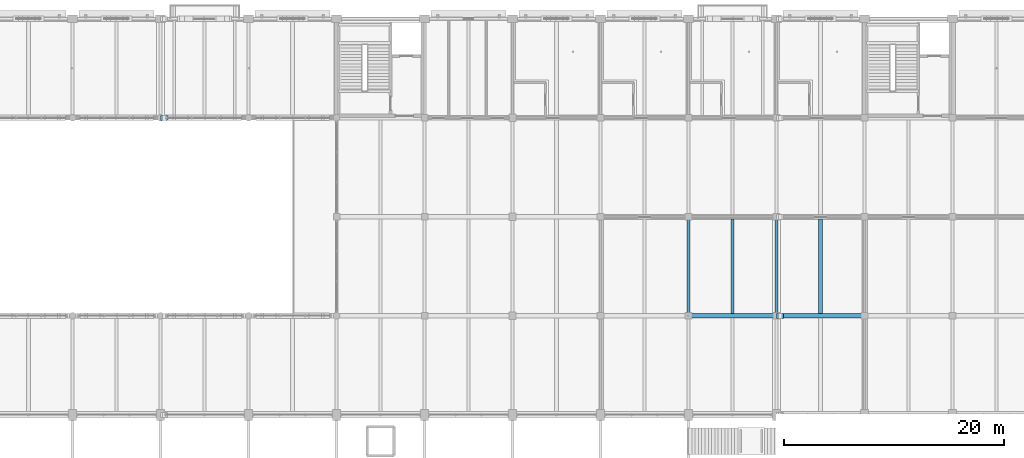
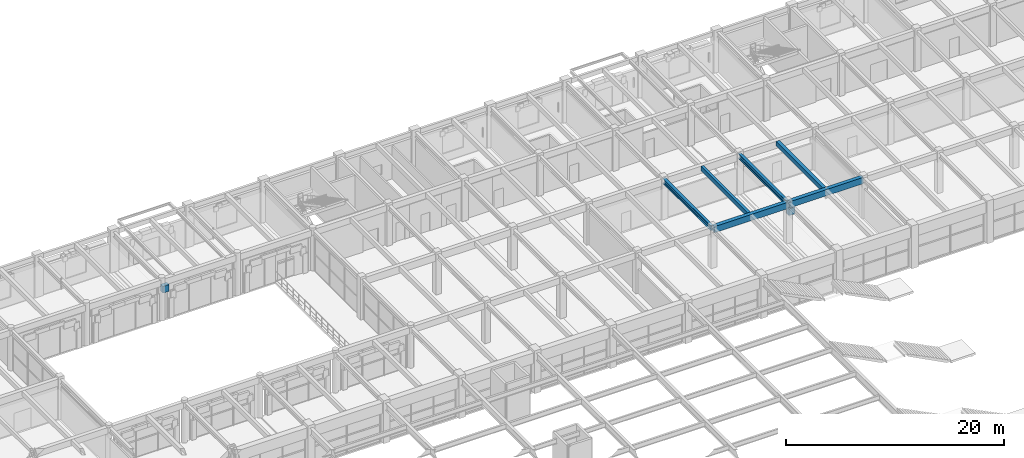
# One storey, part 66 of 144: 8 beams.
"""IFC4 building model written with IfcOpenShell, lengths in metres."""

from ifc_helpers import new_model, si_unit, direction, frame, origin, origin_2d, place, context, subcontext, project, spatial, rectangle, i_section, extrude, material, material_profile, profile_set, type_object, element, save


model = new_model("IFC4")

# Units and contexts
model_context = context("Model", 3, precision=1e-05, world=origin(), true_north=direction((0.0, 1.0)))
body_context = subcontext(model_context, "Body", "Model", "MODEL_VIEW")
ifc_project = project(units=[si_unit("LENGTHUNIT", "METRE"), si_unit("AREAUNIT", "SQUARE_METRE"), si_unit("VOLUMEUNIT", "CUBIC_METRE"), si_unit("PLANEANGLEUNIT", "RADIAN"), si_unit("MASSUNIT", "GRAM", prefix="KILO")], contexts=[model_context])

# Site, building, storey
site_placement = place(None, origin())
site = spatial("IfcSite", under=ifc_project, at=site_placement, CompositionType="ELEMENT")
building_placement = place(site_placement, origin())
building = spatial("IfcBuilding", under=site, at=building_placement, Name="Varnabhumi Central Station", CompositionType="ELEMENT")
storey_placement = place(building_placement, frame((0.0, 0.0, 4.800048828125)))
storey = spatial("IfcBuildingStorey", under=building, at=storey_placement, Name="L01", CompositionType="ELEMENT", Elevation=4.800048828125)

# Beams
ifc_material_1 = material(Name="Concrete M40", Category="concrete")
ifc_material_profile_1 = material_profile(ifc_material_1, rectangle(XDim=0.300048828125, YDim=0.5, at=origin_2d()), Name="Concrete M40", Category="concrete")
ifc_profile_set_1 = profile_set([ifc_material_profile_1], Name="Concrete M40")
beam_type_1 = type_object("IfcBeamType", Name="BM-RC-300x500", PredefinedType="JOIST", material=ifc_profile_set_1)
beam_1_placement = place(storey_placement, frame((116.0, 89.199951171875, 4.300048828125), z_axis=(0.0, 1.0, 0.0), x_axis=(-1.0, 0.0, 0.0)))
element("IfcBeam", 1, at=beam_1_placement, inside=storey, type_object=beam_type_1, Name="Secondary Joist L01-15/16:L-M", PredefinedType="JOIST", context=body_context, shape_type="SweptSolid", body=[
    extrude(rectangle(XDim=0.300048828125, YDim=0.5, at=origin_2d()), origin(), (0.0, 0.0, 1.0), 8.60009765625),
])
ifc_material_profile_2 = material_profile(ifc_material_1, rectangle(XDim=0.35009765625, YDim=0.5, at=origin_2d()), Name="Concrete M40", Category="concrete")
ifc_profile_set_2 = profile_set([ifc_material_profile_2], Name="Concrete M40")
beam_type_2 = type_object("IfcBeamType", Name="BM-RC-350x500", PredefinedType="JOIST", material=ifc_profile_set_2)
beam_2_placement = place(storey_placement, frame((124.0, 89.199951171875, 4.300048828125), z_axis=(0.0, 1.0, 0.0), x_axis=(-1.0, 0.0, 0.0)))
element("IfcBeam", 2, at=beam_2_placement, inside=storey, type_object=beam_type_2, Name="Secondary Joist L01-16/17:L-M", PredefinedType="JOIST", context=body_context, shape_type="SweptSolid", body=[
    extrude(rectangle(XDim=0.35009765625, YDim=0.5, at=origin_2d()), origin(), (0.0, 0.0, 1.0), 8.60009765625),
])
ifc_material_profile_3 = material_profile(ifc_material_1, rectangle(XDim=0.39990234375, YDim=0.699951171875, at=origin_2d()), Name="Concrete M40", Category="concrete")
ifc_profile_set_3 = profile_set([ifc_material_profile_3], Name="Concrete M40")
beam_type_3 = type_object("IfcBeamType", Name="BM-RC-400x700", PredefinedType="BEAM", material=ifc_profile_set_3)
for number, where, z_axis, x_axis, name in (
    (3, (112.10009765625, 89.0, 4.199951171875), (1.0, 0.0, 0.0), (0.0, 1.0, 0.0), "Beam L01-L:15-16"),
    (4, (120.10009765625, 89.0, 4.199951171875), (1.0, 0.0, 0.0), (0.0, 1.0, 0.0), "Beam L01-L:16-17"),
):
    element("IfcBeam", number, at=place(storey_placement, frame(where, z_axis=z_axis, x_axis=x_axis)), inside=storey, type_object=beam_type_3, Name=name, PredefinedType="BEAM", context=body_context, shape_type="SweptSolid", body=[
        extrude(rectangle(XDim=0.39990234375, YDim=0.699951171875, at=origin_2d()), origin(), (0.0, 0.0, 1.0), 7.7998046875),
    ])
ifc_material_profile_4 = material_profile(ifc_material_1, rectangle(XDim=0.449951171875, YDim=0.75, at=origin_2d()), Name="Concrete M40", Category="concrete")
ifc_profile_set_4 = profile_set([ifc_material_profile_4], Name="Concrete M40")
beam_type_4 = type_object("IfcBeamType", Name="BM-RC-450x750", PredefinedType="BEAM", material=ifc_profile_set_4)
for number, where, z_axis, x_axis, name in (
    (5, (64.0, 107.0, 3.39501953125), (1.0, 0.0, 0.0), (0.0, 1.0, 0.0), "Movement Joint 650mm Corbel Seat L01-N-9"),
    (6, (120.0, 89.0, 3.39501953125), (1.0, 0.0, 0.0), (0.0, 1.0, 0.0), "Movement Joint 650mm Corbel Seat L01-L-16"),
):
    element("IfcBeam", number, at=place(storey_placement, frame(where, z_axis=z_axis, x_axis=x_axis)), inside=storey, type_object=beam_type_4, Name=name, PredefinedType="BEAM", context=body_context, shape_type="SweptSolid", body=[
        extrude(rectangle(XDim=0.449951171875, YDim=0.75, at=origin_2d()), origin(), (0.0, 0.0, 1.0), 0.64990234375),
    ])
ifc_material_2 = material(Name="Structural steel E350", Category="steel")
ifc_material_profile_5 = material_profile(ifc_material_2, i_section(OverallWidth=0.300048828125, OverallDepth=0.550048828125, WebThickness=0.014892578125, FlangeThickness=0.029052734375, FilletRadius=0.027099609375, at=origin_2d()), Name="Structural steel E350", Category="steel")
ifc_profile_set_5 = profile_set([ifc_material_profile_5], Name="Structural steel E350")
beam_type_5 = type_object("IfcBeamType", Name="BM-STL-WPB550", PredefinedType="BEAM", material=ifc_profile_set_5)
for number, where, z_axis, x_axis, name in (
    (7, (112.0, 89.10009765625, 4.27490234375), (0.0, 1.0, 0.0), (-1.0, 0.0, 0.0), "Beam L01-15:L-M"),
    (8, (120.0, 89.10009765625, 4.27490234375), (0.0, 1.0, 0.0), (-1.0, 0.0, 0.0), "Beam L01-16:L-M"),
):
    element("IfcBeam", number, at=place(storey_placement, frame(where, z_axis=z_axis, x_axis=x_axis)), inside=storey, type_object=beam_type_5, Name=name, PredefinedType="BEAM", context=body_context, shape_type="SweptSolid", body=[
        extrude(i_section(OverallWidth=0.300048828125, OverallDepth=0.550048828125, WebThickness=0.014892578125, FlangeThickness=0.029052734375, FilletRadius=0.027099609375, at=origin_2d()), origin(), (0.0, 0.0, 1.0), 8.7998046875),
    ])

save(model, "model.ifc")
